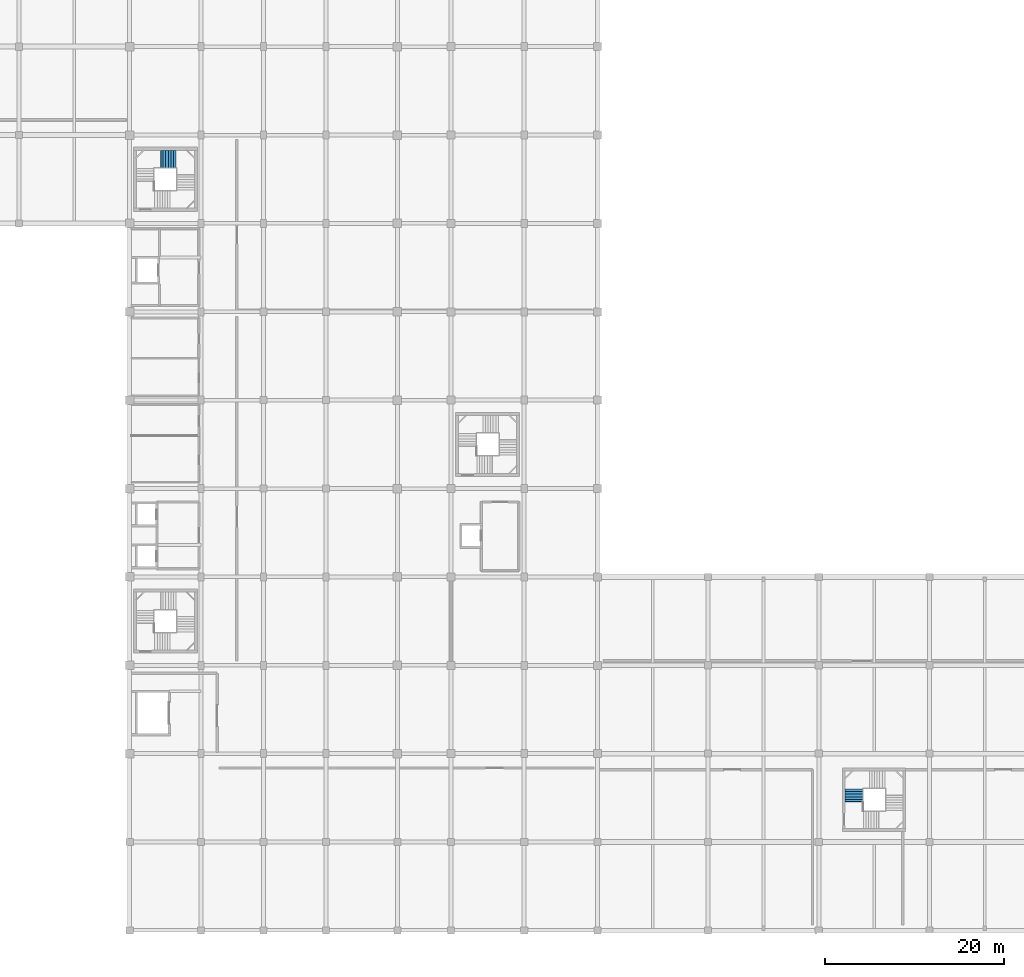
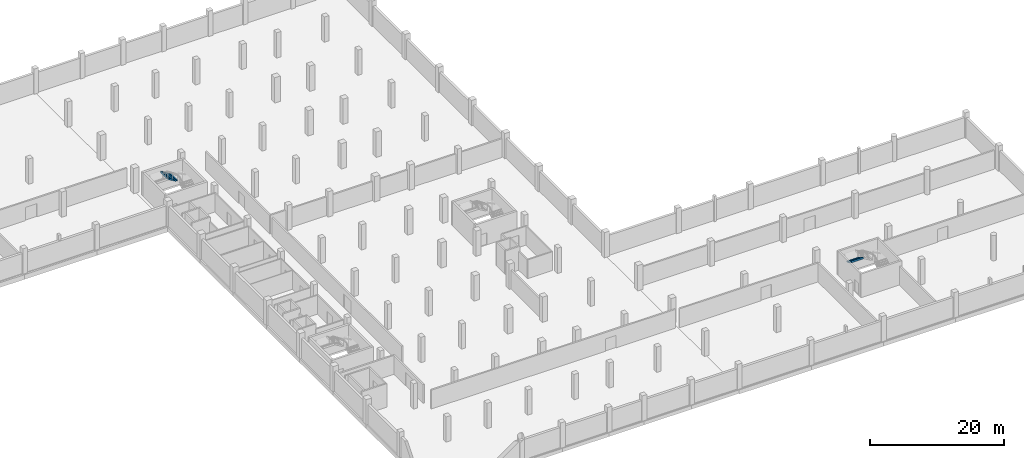
# One storey, part 27 of 32: 2 stair flights, 2 elements without a shape of their own.
"""IFC4 building model written with IfcOpenShell, lengths in metres."""

import ifcopenshell
import ifcopenshell.guid

model = None  # the IFC model being written
_history = None  # IfcOwnerHistory: only IFC2X3 demands one
_inside = {}  # id of a spatial element -> (the spatial element, [elements in it])
_under = {}  # id of a project, library or spatial element -> (it, [spatial elements below it])
_declared = {}  # id of a project -> (the project, [libraries it declares])
_typed = {}  # id of a type object -> (the type object, [elements of that type])
_made_of = {}  # id of a material, layer set ... -> (it, [elements and type objects made of it])


def new_model(schema):
    """Start an empty IFC model of exactly this schema.

    Asked for "IFC4X3", IfcOpenShell would pick the latest addendum, in which some entities
    have other attributes; the version numbers below select the first issue.
    IFC2X3 requires an IfcOwnerHistory on every rooted entity: one is made here for all.
    """
    global model, _history
    if schema == "IFC4X3":
        model = ifcopenshell.file(schema_version=(4, 3, 0, 0))
    else:
        model = ifcopenshell.file(schema=schema)
    _inside.clear()
    _under.clear()
    _declared.clear()
    _typed.clear()
    _made_of.clear()
    _history = None
    if model.schema == "IFC2X3":
        org = make("IfcOrganization", Name="unknown")
        user = make(
            "IfcPersonAndOrganization",
            ThePerson=make("IfcPerson", FamilyName="unknown"),
            TheOrganization=org,
        )
        app = make(
            "IfcApplication",
            ApplicationDeveloper=org,
            Version="unknown",
            ApplicationFullName="unknown",
            ApplicationIdentifier="unknown",
        )
        _history = make(
            "IfcOwnerHistory",
            OwningUser=user,
            OwningApplication=app,
            ChangeAction="ADDED",
            CreationDate=0,
        )
    return model


def make(cls, **values):
    """One entity of the class cls with the attributes given. An attribute that is None is left unset."""
    return model.create_entity(
        cls, **{name: value for name, value in values.items() if value is not None}
    )


def rooted(cls, **values):
    """An entity with a GlobalId (a new one), such as an element, a storey or a relation."""
    return make(cls, GlobalId=ifcopenshell.guid.new(), OwnerHistory=_history, **values)


def si_unit(unit_type, name, prefix=None):
    """IfcSIUnit, for example si_unit("LENGTHUNIT", "METRE", prefix="MILLI")."""
    return make("IfcSIUnit", UnitType=unit_type, Prefix=prefix, Name=name)


def assignment(units):
    """IfcUnitAssignment: the units of a project."""
    return None if units is None else make("IfcUnitAssignment", Units=units)


def point(xyz):
    """IfcCartesianPoint."""
    return None if xyz is None else make("IfcCartesianPoint", Coordinates=xyz)


def direction(xyz):
    """IfcDirection."""
    return None if xyz is None else make("IfcDirection", DirectionRatios=xyz)


def frame(location, z_axis=None, x_axis=None):
    """IfcAxis2Placement3D, a coordinate frame: its origin and axes. An axis left out is left unset."""
    return make(
        "IfcAxis2Placement3D",
        Location=point(location),
        Axis=direction(z_axis),
        RefDirection=direction(x_axis),
    )


def origin():
    """The frame at (0, 0, 0) with its axes left unset."""
    return frame((0.0, 0.0, 0.0))


def place(relative_to, where):
    """IfcLocalPlacement: puts the frame where relative to a parent placement (None: the world)."""
    return make(
        "IfcLocalPlacement", PlacementRelTo=relative_to, RelativePlacement=where
    )


def context(
    kind, dimensions, precision=None, world=None, true_north=None, identifier=None
):
    """IfcGeometricRepresentationContext, for example the 3D "Model" context."""
    return make(
        "IfcGeometricRepresentationContext",
        ContextIdentifier=identifier,
        ContextType=kind,
        CoordinateSpaceDimension=dimensions,
        Precision=precision,
        WorldCoordinateSystem=world,
        TrueNorth=true_north,
    )


def subcontext(parent, identifier, kind, view, scale=None):
    """IfcGeometricRepresentationSubContext, for example "Body" below "Model"."""
    return make(
        "IfcGeometricRepresentationSubContext",
        ContextIdentifier=identifier,
        ContextType=kind,
        ParentContext=parent,
        TargetScale=scale,
        TargetView=view,
    )


def project(units=None, contexts=None):
    """IfcProject with its units and contexts."""
    return rooted(
        "IfcProject",
        Name="project",
        RepresentationContexts=contexts,
        UnitsInContext=assignment(units),
    )


def spatial(cls, under=None, at=None, **own):
    """A site, building, storey or space (cls), placed at a placement, below another one or the project."""
    s = rooted(cls, ObjectPlacement=at, **own)
    if under is not None:
        _under.setdefault(under.id(), (under, []))[1].append(s)
    return s


def point_list(points):
    """IfcCartesianPointList2D or 3D."""
    cls = (
        "IfcCartesianPointList2D" if len(points[0]) == 2 else "IfcCartesianPointList3D"
    )
    return make(cls, CoordList=points)


def triangles(points, corners, closed=None, point_numbers=None):
    """IfcTriangulatedFaceSet: each triangle names its three corners, points numbered from 1."""
    return make(
        "IfcTriangulatedFaceSet",
        Coordinates=point_list(points),
        Closed=closed,
        CoordIndex=corners,
        PnIndex=point_numbers,
    )


def shape(context_of_items, identifier, shape_type, items):
    """IfcShapeRepresentation: the items that make up one representation, for example the "Body"."""
    return make(
        "IfcShapeRepresentation",
        ContextOfItems=context_of_items,
        RepresentationIdentifier=identifier,
        RepresentationType=shape_type,
        Items=items,
    )


def material(Name=None, Category=None):
    """IfcMaterial."""
    return make("IfcMaterial", Name=Name, Category=Category)


def made_of(thing, what):
    """Note that an element or type object is made of a material, layer set ...; save() writes the relation."""
    if what is not None:
        _made_of.setdefault(what.id(), (what, []))[1].append(thing)
    return thing


def type_object(cls, material=None, **own):
    """A type object (cls), such as IfcWallType, which elements share."""
    return made_of(rooted(cls, **own), material)


def element(
    cls,
    number,
    at=None,
    inside=None,
    cuts=None,
    type_object=None,
    material=None,
    context=None,
    identifier="Body",
    shape_type=None,
    held_by="IfcProductDefinitionShape",
    body=None,
    shapes=None,
    **own,
):
    """One element of the class cls, such as IfcWall. Its Tag is "e" and its number.

    at: its placement. inside: the storey or other place that contains it. cuts: it is an
    opening in that element (IfcRelVoidsElement). A single representation is given by context,
    identifier, shape_type and body (its items); several are given by shapes. held_by: the class
    of the entity that holds the representations. save() writes the other relations.
    """
    e = rooted(cls, Tag="e%d" % number, ObjectPlacement=at, **own)
    if body is not None:
        shapes = [shape(context, identifier, shape_type, body)]
    if shapes is not None:
        e.Representation = make(held_by, Representations=shapes)
    if inside is not None:
        _inside.setdefault(inside.id(), (inside, []))[1].append(e)
    if cuts is not None:
        rooted(
            "IfcRelVoidsElement", RelatingBuildingElement=cuts, RelatedOpeningElement=e
        )
    if type_object is not None:
        _typed.setdefault(type_object.id(), (type_object, []))[1].append(e)
    return made_of(e, material)


def aggregate(whole, parts):
    """IfcRelAggregates: a whole, such as a stair, and the parts it consists of."""
    return rooted("IfcRelAggregates", RelatingObject=whole, RelatedObjects=parts)


def save(model, path):
    """Write the relations noted so far, then the file.

    IfcRelAggregates (storeys below a building ...), IfcRelContainedInSpatialStructure (elements
    in a storey), IfcRelDefinesByType, IfcRelAssociatesMaterial and IfcRelDeclares: one each for
    every whole, place, type object, material and project.
    """
    for whole, parts in _under.values():
        aggregate(whole, parts)
    for where, things in _inside.values():
        rooted(
            "IfcRelContainedInSpatialStructure",
            RelatedElements=things,
            RelatingStructure=where,
        )
    for kind, things in _typed.values():
        rooted("IfcRelDefinesByType", RelatedObjects=things, RelatingType=kind)
    for what, things in _made_of.values():
        rooted("IfcRelAssociatesMaterial", RelatedObjects=things, RelatingMaterial=what)
    for by, libraries in _declared.values():
        rooted("IfcRelDeclares", RelatingContext=by, RelatedDefinitions=libraries)
    model.write(path)


model = new_model("IFC4")

# Units and contexts
model_context = context("Model", 3, precision=1e-05, world=origin(), true_north=direction((0.0, 1.0)))
body_context = subcontext(model_context, "Body", "Model", "MODEL_VIEW")
ifc_project = project(units=[si_unit("LENGTHUNIT", "METRE"), si_unit("AREAUNIT", "SQUARE_METRE"), si_unit("VOLUMEUNIT", "CUBIC_METRE"), si_unit("PLANEANGLEUNIT", "RADIAN"), si_unit("MASSUNIT", "GRAM", prefix="KILO")], contexts=[model_context])

# Site, building, storey
site_placement = place(None, origin())
site = spatial("IfcSite", under=ifc_project, at=site_placement, CompositionType="ELEMENT")
building_placement = place(site_placement, origin())
building = spatial("IfcBuilding", under=site, at=building_placement, Name="Sillaruma Civic Art Gallery", CompositionType="ELEMENT")
storey_placement = place(building_placement, frame((0.0, 0.0, -4.590087890625)))
storey = spatial("IfcBuildingStorey", under=building, at=storey_placement, Name="B01", CompositionType="ELEMENT", Elevation=-4.590087890625)

# Stair, stair flight
ifc_material = material(Name="Concrete H35 (35 MPa)", Category="concrete")
stair_type = type_object("IfcStairType", Name="STR-4F-27", PredefinedType="USERDEFINED", material=ifc_material)
stair_1_placement = place(storey_placement, origin())
stair_1 = element("IfcStair", 1, at=stair_1_placement, inside=storey, type_object=stair_type, Name="Protected Exit Stair ST-05 (East Wing) (B01)", ObjectType="THREE_RETURN_STAIR", PredefinedType="USERDEFINED")
stair_flight_type_1 = type_object("IfcStairFlightType", Name="SFL-STR-6", PredefinedType="STRAIGHT", material=ifc_material)
stair_flight_1_placement = place(storey_placement, frame((143.179931640625, 15.840087890625, 3.570068359375), z_axis=(0.0, 0.0, 1.0), x_axis=(0.0, -1.0, 0.0)))
stair_flight_1 = element("IfcStairFlight", 2, at=stair_flight_1_placement, type_object=stair_flight_type_1, Name="ST-05 flight 4", NumberOfRisers=6, NumberOfTreads=5, PredefinedType="STRAIGHT", RiserHeight=0.17, TreadLength=0.29, context=body_context, shape_type="Tessellation", body=[
    triangles([(0.0, -1.02001953125, 0.0), (0.29, -1.02001953125, 0.0), (0.296365, -1.02001953125, 0.0), (0.58, -1.02001953125, 0.166269), (0.87, -1.02001953125, 0.336269), (1.16, -1.02001953125, 0.506269), (1.409951, -1.02001953125, 0.652792), (1.449951, -1.02001953125, 0.67624), (1.449951, -1.02001953125, 1.02), (1.409951, -1.02001953125, 1.02), (1.409951, -1.02001953125, 0.85), (1.16, -1.02001953125, 0.85), (1.16, -1.02001953125, 0.68), (0.87, -1.02001953125, 0.68), (0.87, -1.02001953125, 0.51), (0.58, -1.02001953125, 0.51), (0.58, -1.02001953125, 0.34), (0.296365, -1.02001953125, 0.34), (0.29, -1.02001953125, 0.34), (0.29, -1.02001953125, 0.17), (0.0, -1.02001953125, 0.17), (0.0, -0.05, 0.0), (0.29, -0.05, 0.0), (0.296365, -0.05, 0.0), (0.58, -0.05, 0.166269), (0.87, -0.05, 0.336269), (1.16, -0.05, 0.506269), (1.409951, -0.05, 0.652792), (1.449951, -0.05, 0.67624), (1.449951, -0.05, 1.02), (1.409951, -0.05, 1.02), (1.409951, -0.05, 0.85), (1.16, -0.05, 0.85), (1.16, -0.05, 0.68), (0.87, -0.05, 0.68), (0.87, -0.05, 0.51), (0.58, -0.05, 0.51), (0.58, -0.05, 0.34), (0.296365, -0.05, 0.34), (0.29, -0.05, 0.34), (0.29, -0.05, 0.17), (0.0, -0.05, 0.17), (0.0, -0.0375, 0.0), (0.29, -0.0375, 0.0), (0.296365, -0.0375, 0.0), (0.58, -0.0375, 0.166269), (0.87, -0.0375, 0.336269), (1.16, -0.0375, 0.506269), (1.409951, -0.0375, 0.652792), (1.449951, -0.0375, 0.67624), (1.449951, -0.0375, 1.02), (1.409951, -0.0375, 1.02), (1.409951, -0.0375, 0.85), (1.16, -0.0375, 0.85), (1.16, -0.0375, 0.68), (0.87, -0.0375, 0.68), (0.87, -0.0375, 0.51), (0.58, -0.0375, 0.51), (0.58, -0.0375, 0.34), (0.296365, -0.0375, 0.34), (0.29, -0.0375, 0.34), (0.29, -0.0375, 0.17), (0.0, -0.0375, 0.17), (0.0, -0.025, 0.0), (0.29, -0.025, 0.0), (0.296365, -0.025, 0.0), (0.58, -0.025, 0.166269), (0.87, -0.025, 0.336269), (1.16, -0.025, 0.506269), (1.409951, -0.025, 0.652792), (1.449951, -0.025, 0.67624), (1.449951, -0.025, 1.02), (1.409951, -0.025, 1.02), (1.409951, -0.025, 0.85), (1.16, -0.025, 0.85), (1.16, -0.025, 0.68), (0.87, -0.025, 0.68), (0.87, -0.025, 0.51), (0.58, -0.025, 0.51), (0.58, -0.025, 0.34), (0.296365, -0.025, 0.34), (0.29, -0.025, 0.34), (0.29, -0.025, 0.17), (0.0, -0.025, 0.17), (0.0, -0.0125, 0.0), (0.29, -0.0125, 0.0), (0.296365, -0.0125, 0.0), (0.58, -0.0125, 0.166269), (0.87, -0.0125, 0.336269), (1.16, -0.0125, 0.506269), (1.409951, -0.0125, 0.652792), (1.449951, -0.0125, 0.67624), (1.449951, -0.0125, 1.02), (1.409951, -0.0125, 1.02), (1.409951, -0.0125, 0.85), (1.16, -0.0125, 0.85), (1.16, -0.0125, 0.68), (0.87, -0.0125, 0.68), (0.87, -0.0125, 0.51), (0.58, -0.0125, 0.51), (0.58, -0.0125, 0.34), (0.296365, -0.0125, 0.34), (0.29, -0.0125, 0.34), (0.29, -0.0125, 0.17), (0.0, -0.0125, 0.17), (0.0, 0.0, 0.0), (0.29, 0.0, 0.0), (0.296365, 0.0, 0.0), (0.58, 0.0, 0.166269), (0.87, 0.0, 0.336269), (1.16, 0.0, 0.506269), (1.409951, 0.0, 0.652792), (1.449951, 0.0, 0.67624), (1.449951, 0.0, 1.02), (1.409951, 0.0, 1.02), (1.409951, 0.0, 0.85), (1.16, 0.0, 0.85), (1.16, 0.0, 0.68), (0.87, 0.0, 0.68), (0.87, 0.0, 0.51), (0.58, 0.0, 0.51), (0.58, 0.0, 0.34), (0.296365, 0.0, 0.34), (0.29, 0.0, 0.34), (0.29, 0.0, 0.17), (0.0, 0.0, 0.17), (0.0, 0.0125, 0.0), (0.29, 0.0125, 0.0), (0.296365, 0.0125, 0.0), (0.58, 0.0125, 0.166269), (0.87, 0.0125, 0.336269), (1.16, 0.0125, 0.506269), (1.409951, 0.0125, 0.652792), (1.449951, 0.0125, 0.67624), (1.449951, 0.0125, 1.02), (1.409951, 0.0125, 1.02), (1.409951, 0.0125, 0.85), (1.16, 0.0125, 0.85), (1.16, 0.0125, 0.68), (0.87, 0.0125, 0.68), (0.87, 0.0125, 0.51), (0.58, 0.0125, 0.51), (0.58, 0.0125, 0.34), (0.296365, 0.0125, 0.34), (0.29, 0.0125, 0.34), (0.29, 0.0125, 0.17), (0.0, 0.0125, 0.17), (0.0, 0.025, 0.0), (0.29, 0.025, 0.0), (0.296365, 0.025, 0.0), (0.58, 0.025, 0.166269), (0.87, 0.025, 0.336269), (1.16, 0.025, 0.506269), (1.409951, 0.025, 0.652792), (1.449951, 0.025, 0.67624), (1.449951, 0.025, 1.02), (1.409951, 0.025, 1.02), (1.409951, 0.025, 0.85), (1.16, 0.025, 0.85), (1.16, 0.025, 0.68), (0.87, 0.025, 0.68), (0.87, 0.025, 0.51), (0.58, 0.025, 0.51), (0.58, 0.025, 0.34), (0.296365, 0.025, 0.34), (0.29, 0.025, 0.34), (0.29, 0.025, 0.17), (0.0, 0.025, 0.17), (0.0, 0.0375, 0.0), (0.29, 0.0375, 0.0), (0.296365, 0.0375, 0.0), (0.58, 0.0375, 0.166269), (0.87, 0.0375, 0.336269), (1.16, 0.0375, 0.506269), (1.409951, 0.0375, 0.652792), (1.449951, 0.0375, 0.67624), (1.449951, 0.0375, 1.02), (1.409951, 0.0375, 1.02), (1.409951, 0.0375, 0.85), (1.16, 0.0375, 0.85), (1.16, 0.0375, 0.68), (0.87, 0.0375, 0.68), (0.87, 0.0375, 0.51), (0.58, 0.0375, 0.51), (0.58, 0.0375, 0.34), (0.296365, 0.0375, 0.34), (0.29, 0.0375, 0.34), (0.29, 0.0375, 0.17), (0.0, 0.0375, 0.17), (0.0, 0.05, 0.0), (0.29, 0.05, 0.0), (0.296365, 0.05, 0.0), (0.58, 0.05, 0.166269), (0.87, 0.05, 0.336269), (1.16, 0.05, 0.506269), (1.409951, 0.05, 0.652792), (1.449951, 0.05, 0.67624), (1.449951, 0.05, 1.02), (1.409951, 0.05, 1.02), (1.409951, 0.05, 0.85), (1.16, 0.05, 0.85), (1.16, 0.05, 0.68), (0.87, 0.05, 0.68), (0.87, 0.05, 0.51), (0.58, 0.05, 0.51), (0.58, 0.05, 0.34), (0.296365, 0.05, 0.34), (0.29, 0.05, 0.34), (0.29, 0.05, 0.17), (0.0, 0.05, 0.17), (0.0, 1.02001953125, 0.0), (0.29, 1.02001953125, 0.0), (0.296365, 1.02001953125, 0.0), (0.58, 1.02001953125, 0.166269), (0.87, 1.02001953125, 0.336269), (1.16, 1.02001953125, 0.506269), (1.409951, 1.02001953125, 0.652792), (1.449951, 1.02001953125, 0.67624), (1.449951, 1.02001953125, 1.02), (1.409951, 1.02001953125, 1.02), (1.409951, 1.02001953125, 0.85), (1.16, 1.02001953125, 0.85), (1.16, 1.02001953125, 0.68), (0.87, 1.02001953125, 0.68), (0.87, 1.02001953125, 0.51), (0.58, 1.02001953125, 0.51), (0.58, 1.02001953125, 0.34), (0.296365, 1.02001953125, 0.34), (0.29, 1.02001953125, 0.34), (0.29, 1.02001953125, 0.17), (0.0, 1.02001953125, 0.17)], [[1, 2, 20], [1, 20, 21], [2, 3, 18], [2, 18, 20], [20, 18, 19], [3, 4, 17], [3, 17, 18], [4, 5, 15], [4, 15, 17], [17, 15, 16], [5, 6, 13], [5, 13, 15], [15, 13, 14], [6, 7, 11], [6, 11, 13], [13, 11, 12], [7, 8, 9], [7, 9, 11], [11, 9, 10], [230, 212, 211], [231, 230, 211], [228, 213, 212], [230, 228, 212], [229, 228, 230], [227, 214, 213], [228, 227, 213], [225, 215, 214], [227, 225, 214], [226, 225, 227], [223, 216, 215], [225, 223, 215], [224, 223, 225], [221, 217, 216], [223, 221, 216], [222, 221, 223], [219, 218, 217], [221, 219, 217], [220, 219, 221], [2, 1, 22], [2, 22, 23], [3, 2, 23], [3, 23, 24], [4, 3, 24], [4, 24, 25], [5, 4, 25], [5, 25, 26], [6, 5, 26], [6, 26, 27], [7, 6, 27], [7, 27, 28], [8, 7, 28], [8, 28, 29], [9, 8, 29], [9, 29, 30], [10, 9, 30], [10, 30, 31], [11, 10, 31], [11, 31, 32], [12, 11, 32], [12, 32, 33], [13, 12, 33], [13, 33, 34], [14, 13, 34], [14, 34, 35], [15, 14, 35], [15, 35, 36], [16, 15, 36], [16, 36, 37], [17, 16, 37], [17, 37, 38], [18, 17, 38], [18, 38, 39], [19, 18, 39], [19, 39, 40], [20, 19, 40], [20, 40, 41], [21, 20, 41], [21, 41, 42], [1, 21, 42], [1, 42, 22], [23, 22, 43], [23, 43, 44], [24, 23, 44], [24, 44, 45], [25, 24, 45], [25, 45, 46], [26, 25, 46], [26, 46, 47], [27, 26, 47], [27, 47, 48], [28, 27, 48], [28, 48, 49], [29, 28, 49], [29, 49, 50], [30, 29, 50], [30, 50, 51], [31, 30, 51], [31, 51, 52], [32, 31, 52], [32, 52, 53], [33, 32, 53], [33, 53, 54], [34, 33, 54], [34, 54, 55], [35, 34, 55], [35, 55, 56], [36, 35, 56], [36, 56, 57], [37, 36, 57], [37, 57, 58], [38, 37, 58], [38, 58, 59], [39, 38, 59], [39, 59, 60], [40, 39, 60], [40, 60, 61], [41, 40, 61], [41, 61, 62], [42, 41, 62], [42, 62, 63], [22, 42, 63], [22, 63, 43], [44, 43, 64], [44, 64, 65], [45, 44, 65], [45, 65, 66], [46, 45, 66], [46, 66, 67], [47, 46, 67], [47, 67, 68], [48, 47, 68], [48, 68, 69], [49, 48, 69], [49, 69, 70], [50, 49, 70], [50, 70, 71], [51, 50, 71], [51, 71, 72], [52, 51, 72], [52, 72, 73], [53, 52, 73], [53, 73, 74], [54, 53, 74], [54, 74, 75], [55, 54, 75], [55, 75, 76], [56, 55, 76], [56, 76, 77], [57, 56, 77], [57, 77, 78], [58, 57, 78], [58, 78, 79], [59, 58, 79], [59, 79, 80], [60, 59, 80], [60, 80, 81], [61, 60, 81], [61, 81, 82], [62, 61, 82], [62, 82, 83], [63, 62, 83], [63, 83, 84], [43, 63, 84], [43, 84, 64], [65, 64, 85], [65, 85, 86], [66, 65, 86], [66, 86, 87], [67, 66, 87], [67, 87, 88], [68, 67, 88], [68, 88, 89], [69, 68, 89], [69, 89, 90], [70, 69, 90], [70, 90, 91], [71, 70, 91], [71, 91, 92], [72, 71, 92], [72, 92, 93], [73, 72, 93], [73, 93, 94], [74, 73, 94], [74, 94, 95], [75, 74, 95], [75, 95, 96], [76, 75, 96], [76, 96, 97], [77, 76, 97], [77, 97, 98], [78, 77, 98], [78, 98, 99], [79, 78, 99], [79, 99, 100], [80, 79, 100], [80, 100, 101], [81, 80, 101], [81, 101, 102], [82, 81, 102], [82, 102, 103], [83, 82, 103], [83, 103, 104], [84, 83, 104], [84, 104, 105], [64, 84, 105], [64, 105, 85], [86, 85, 106], [86, 106, 107], [87, 86, 107], [87, 107, 108], [88, 87, 108], [88, 108, 109], [89, 88, 109], [89, 109, 110], [90, 89, 110], [90, 110, 111], [91, 90, 111], [91, 111, 112], [92, 91, 112], [92, 112, 113], [93, 92, 113], [93, 113, 114], [94, 93, 114], [94, 114, 115], [95, 94, 115], [95, 115, 116], [96, 95, 116], [96, 116, 117], [97, 96, 117], [97, 117, 118], [98, 97, 118], [98, 118, 119], [99, 98, 119], [99, 119, 120], [100, 99, 120], [100, 120, 121], [101, 100, 121], [101, 121, 122], [102, 101, 122], [102, 122, 123], [103, 102, 123], [103, 123, 124], [104, 103, 124], [104, 124, 125], [105, 104, 125], [105, 125, 126], [85, 105, 126], [85, 126, 106], [107, 106, 127], [107, 127, 128], [108, 107, 128], [108, 128, 129], [109, 108, 129], [109, 129, 130], [110, 109, 130], [110, 130, 131], [111, 110, 131], [111, 131, 132], [112, 111, 132], [112, 132, 133], [113, 112, 133], [113, 133, 134], [114, 113, 134], [114, 134, 135], [115, 114, 135], [115, 135, 136], [116, 115, 136], [116, 136, 137], [117, 116, 137], [117, 137, 138], [118, 117, 138], [118, 138, 139], [119, 118, 139], [119, 139, 140], [120, 119, 140], [120, 140, 141], [121, 120, 141], [121, 141, 142], [122, 121, 142], [122, 142, 143], [123, 122, 143], [123, 143, 144], [124, 123, 144], [124, 144, 145], [125, 124, 145], [125, 145, 146], [126, 125, 146], [126, 146, 147], [106, 126, 147], [106, 147, 127], [128, 127, 148], [128, 148, 149], [129, 128, 149], [129, 149, 150], [130, 129, 150], [130, 150, 151], [131, 130, 151], [131, 151, 152], [132, 131, 152], [132, 152, 153], [133, 132, 153], [133, 153, 154], [134, 133, 154], [134, 154, 155], [135, 134, 155], [135, 155, 156], [136, 135, 156], [136, 156, 157], [137, 136, 157], [137, 157, 158], [138, 137, 158], [138, 158, 159], [139, 138, 159], [139, 159, 160], [140, 139, 160], [140, 160, 161], [141, 140, 161], [141, 161, 162], [142, 141, 162], [142, 162, 163], [143, 142, 163], [143, 163, 164], [144, 143, 164], [144, 164, 165], [145, 144, 165], [145, 165, 166], [146, 145, 166], [146, 166, 167], [147, 146, 167], [147, 167, 168], [127, 147, 168], [127, 168, 148], [149, 148, 169], [149, 169, 170], [150, 149, 170], [150, 170, 171], [151, 150, 171], [151, 171, 172], [152, 151, 172], [152, 172, 173], [153, 152, 173], [153, 173, 174], [154, 153, 174], [154, 174, 175], [155, 154, 175], [155, 175, 176], [156, 155, 176], [156, 176, 177], [157, 156, 177], [157, 177, 178], [158, 157, 178], [158, 178, 179], [159, 158, 179], [159, 179, 180], [160, 159, 180], [160, 180, 181], [161, 160, 181], [161, 181, 182], [162, 161, 182], [162, 182, 183], [163, 162, 183], [163, 183, 184], [164, 163, 184], [164, 184, 185], [165, 164, 185], [165, 185, 186], [166, 165, 186], [166, 186, 187], [167, 166, 187], [167, 187, 188], [168, 167, 188], [168, 188, 189], [148, 168, 189], [148, 189, 169], [170, 169, 190], [170, 190, 191], [171, 170, 191], [171, 191, 192], [172, 171, 192], [172, 192, 193], [173, 172, 193], [173, 193, 194], [174, 173, 194], [174, 194, 195], [175, 174, 195], [175, 195, 196], [176, 175, 196], [176, 196, 197], [177, 176, 197], [177, 197, 198], [178, 177, 198], [178, 198, 199], [179, 178, 199], [179, 199, 200], [180, 179, 200], [180, 200, 201], [181, 180, 201], [181, 201, 202], [182, 181, 202], [182, 202, 203], [183, 182, 203], [183, 203, 204], [184, 183, 204], [184, 204, 205], [185, 184, 205], [185, 205, 206], [186, 185, 206], [186, 206, 207], [187, 186, 207], [187, 207, 208], [188, 187, 208], [188, 208, 209], [189, 188, 209], [189, 209, 210], [169, 189, 210], [169, 210, 190], [191, 190, 211], [191, 211, 212], [192, 191, 212], [192, 212, 213], [193, 192, 213], [193, 213, 214], [194, 193, 214], [194, 214, 215], [195, 194, 215], [195, 215, 216], [196, 195, 216], [196, 216, 217], [197, 196, 217], [197, 217, 218], [198, 197, 218], [198, 218, 219], [199, 198, 219], [199, 219, 220], [200, 199, 220], [200, 220, 221], [201, 200, 221], [201, 221, 222], [202, 201, 222], [202, 222, 223], [203, 202, 223], [203, 223, 224], [204, 203, 224], [204, 224, 225], [205, 204, 225], [205, 225, 226], [206, 205, 226], [206, 226, 227], [207, 206, 227], [207, 227, 228], [208, 207, 228], [208, 228, 229], [209, 208, 229], [209, 229, 230], [210, 209, 230], [210, 230, 231], [190, 210, 231], [190, 231, 211]], closed=True),
])
aggregate(stair_1, [stair_flight_1])

stair_2_placement = place(storey_placement, origin())
stair_2 = element("IfcStair", 3, at=stair_2_placement, inside=storey, type_object=stair_type, Name="Protected Exit Stair ST-02 (West Bar North) (B01)", ObjectType="THREE_RETURN_STAIR", PredefinedType="USERDEFINED")
stair_flight_type_2 = type_object("IfcStairFlightType", Name="SFL-STR-7", PredefinedType="STRAIGHT", material=ifc_material)
stair_flight_2_placement = place(storey_placement, frame((67.199951171875, 86.3701171875, 2.380126953125), z_axis=(0.0, 0.0, 1.0), x_axis=(-1.0, 0.0, 0.0)))
stair_flight_2 = element("IfcStairFlight", 4, at=stair_flight_2_placement, type_object=stair_flight_type_2, Name="ST-02 flight 3", NumberOfRisers=7, NumberOfTreads=6, PredefinedType="STRAIGHT", RiserHeight=0.17, TreadLength=0.29, context=body_context, shape_type="Tessellation", body=[
    triangles([(0.0, -1.02001953125, 0.0), (0.29, -1.02001953125, 0.0), (0.296404, -1.02001953125, 0.0), (0.58, -1.02001953125, 0.166246), (0.87, -1.02001953125, 0.336246), (1.16, -1.02001953125, 0.506246), (1.45, -1.02001953125, 0.676246), (1.69999, -1.02001953125, 0.822792), (1.73999, -1.02001953125, 0.84624), (1.73999, -1.02001953125, 1.19), (1.69999, -1.02001953125, 1.19), (1.69999, -1.02001953125, 1.02), (1.45, -1.02001953125, 1.02), (1.45, -1.02001953125, 0.85), (1.16, -1.02001953125, 0.85), (1.16, -1.02001953125, 0.68), (0.87, -1.02001953125, 0.68), (0.87, -1.02001953125, 0.51), (0.58, -1.02001953125, 0.51), (0.58, -1.02001953125, 0.34), (0.296404, -1.02001953125, 0.34), (0.29, -1.02001953125, 0.34), (0.29, -1.02001953125, 0.17), (0.0, -1.02001953125, 0.17), (0.0, -0.05, 0.0), (0.29, -0.05, 0.0), (0.296404, -0.05, 0.0), (0.58, -0.05, 0.166246), (0.87, -0.05, 0.336246), (1.16, -0.05, 0.506246), (1.45, -0.05, 0.676246), (1.69999, -0.05, 0.822792), (1.73999, -0.05, 0.84624), (1.73999, -0.05, 1.19), (1.69999, -0.05, 1.19), (1.69999, -0.05, 1.02), (1.45, -0.05, 1.02), (1.45, -0.05, 0.85), (1.16, -0.05, 0.85), (1.16, -0.05, 0.68), (0.87, -0.05, 0.68), (0.87, -0.05, 0.51), (0.58, -0.05, 0.51), (0.58, -0.05, 0.34), (0.296404, -0.05, 0.34), (0.29, -0.05, 0.34), (0.29, -0.05, 0.17), (0.0, -0.05, 0.17), (0.0, -0.0375, 0.0), (0.29, -0.0375, 0.0), (0.296404, -0.0375, 0.0), (0.58, -0.0375, 0.166246), (0.87, -0.0375, 0.336246), (1.16, -0.0375, 0.506246), (1.45, -0.0375, 0.676246), (1.69999, -0.0375, 0.822792), (1.73999, -0.0375, 0.84624), (1.73999, -0.0375, 1.19), (1.69999, -0.0375, 1.19), (1.69999, -0.0375, 1.02), (1.45, -0.0375, 1.02), (1.45, -0.0375, 0.85), (1.16, -0.0375, 0.85), (1.16, -0.0375, 0.68), (0.87, -0.0375, 0.68), (0.87, -0.0375, 0.51), (0.58, -0.0375, 0.51), (0.58, -0.0375, 0.34), (0.296404, -0.0375, 0.34), (0.29, -0.0375, 0.34), (0.29, -0.0375, 0.17), (0.0, -0.0375, 0.17), (0.0, -0.025, 0.0), (0.29, -0.025, 0.0), (0.296404, -0.025, 0.0), (0.58, -0.025, 0.166246), (0.87, -0.025, 0.336246), (1.16, -0.025, 0.506246), (1.45, -0.025, 0.676246), (1.69999, -0.025, 0.822792), (1.73999, -0.025, 0.84624), (1.73999, -0.025, 1.19), (1.69999, -0.025, 1.19), (1.69999, -0.025, 1.02), (1.45, -0.025, 1.02), (1.45, -0.025, 0.85), (1.16, -0.025, 0.85), (1.16, -0.025, 0.68), (0.87, -0.025, 0.68), (0.87, -0.025, 0.51), (0.58, -0.025, 0.51), (0.58, -0.025, 0.34), (0.296404, -0.025, 0.34), (0.29, -0.025, 0.34), (0.29, -0.025, 0.17), (0.0, -0.025, 0.17), (0.0, -0.0125, 0.0), (0.29, -0.0125, 0.0), (0.296404, -0.0125, 0.0), (0.58, -0.0125, 0.166246), (0.87, -0.0125, 0.336246), (1.16, -0.0125, 0.506246), (1.45, -0.0125, 0.676246), (1.69999, -0.0125, 0.822792), (1.73999, -0.0125, 0.84624), (1.73999, -0.0125, 1.19), (1.69999, -0.0125, 1.19), (1.69999, -0.0125, 1.02), (1.45, -0.0125, 1.02), (1.45, -0.0125, 0.85), (1.16, -0.0125, 0.85), (1.16, -0.0125, 0.68), (0.87, -0.0125, 0.68), (0.87, -0.0125, 0.51), (0.58, -0.0125, 0.51), (0.58, -0.0125, 0.34), (0.296404, -0.0125, 0.34), (0.29, -0.0125, 0.34), (0.29, -0.0125, 0.17), (0.0, -0.0125, 0.17), (0.0, 0.0, 0.0), (0.29, 0.0, 0.0), (0.296404, 0.0, 0.0), (0.58, 0.0, 0.166246), (0.87, 0.0, 0.336246), (1.16, 0.0, 0.506246), (1.45, 0.0, 0.676246), (1.69999, 0.0, 0.822792), (1.73999, 0.0, 0.84624), (1.73999, 0.0, 1.19), (1.69999, 0.0, 1.19), (1.69999, 0.0, 1.02), (1.45, 0.0, 1.02), (1.45, 0.0, 0.85), (1.16, 0.0, 0.85), (1.16, 0.0, 0.68), (0.87, 0.0, 0.68), (0.87, 0.0, 0.51), (0.58, 0.0, 0.51), (0.58, 0.0, 0.34), (0.296404, 0.0, 0.34), (0.29, 0.0, 0.34), (0.29, 0.0, 0.17), (0.0, 0.0, 0.17), (0.0, 0.0125, 0.0), (0.29, 0.0125, 0.0), (0.296404, 0.0125, 0.0), (0.58, 0.0125, 0.166246), (0.87, 0.0125, 0.336246), (1.16, 0.0125, 0.506246), (1.45, 0.0125, 0.676246), (1.69999, 0.0125, 0.822792), (1.73999, 0.0125, 0.84624), (1.73999, 0.0125, 1.19), (1.69999, 0.0125, 1.19), (1.69999, 0.0125, 1.02), (1.45, 0.0125, 1.02), (1.45, 0.0125, 0.85), (1.16, 0.0125, 0.85), (1.16, 0.0125, 0.68), (0.87, 0.0125, 0.68), (0.87, 0.0125, 0.51), (0.58, 0.0125, 0.51), (0.58, 0.0125, 0.34), (0.296404, 0.0125, 0.34), (0.29, 0.0125, 0.34), (0.29, 0.0125, 0.17), (0.0, 0.0125, 0.17), (0.0, 0.025, 0.0), (0.29, 0.025, 0.0), (0.296404, 0.025, 0.0), (0.58, 0.025, 0.166246), (0.87, 0.025, 0.336246), (1.16, 0.025, 0.506246), (1.45, 0.025, 0.676246), (1.69999, 0.025, 0.822792), (1.73999, 0.025, 0.84624), (1.73999, 0.025, 1.19), (1.69999, 0.025, 1.19), (1.69999, 0.025, 1.02), (1.45, 0.025, 1.02), (1.45, 0.025, 0.85), (1.16, 0.025, 0.85), (1.16, 0.025, 0.68), (0.87, 0.025, 0.68), (0.87, 0.025, 0.51), (0.58, 0.025, 0.51), (0.58, 0.025, 0.34), (0.296404, 0.025, 0.34), (0.29, 0.025, 0.34), (0.29, 0.025, 0.17), (0.0, 0.025, 0.17), (0.0, 0.0375, 0.0), (0.29, 0.0375, 0.0), (0.296404, 0.0375, 0.0), (0.58, 0.0375, 0.166246), (0.87, 0.0375, 0.336246), (1.16, 0.0375, 0.506246), (1.45, 0.0375, 0.676246), (1.69999, 0.0375, 0.822792), (1.73999, 0.0375, 0.84624), (1.73999, 0.0375, 1.19), (1.69999, 0.0375, 1.19), (1.69999, 0.0375, 1.02), (1.45, 0.0375, 1.02), (1.45, 0.0375, 0.85), (1.16, 0.0375, 0.85), (1.16, 0.0375, 0.68), (0.87, 0.0375, 0.68), (0.87, 0.0375, 0.51), (0.58, 0.0375, 0.51), (0.58, 0.0375, 0.34), (0.296404, 0.0375, 0.34), (0.29, 0.0375, 0.34), (0.29, 0.0375, 0.17), (0.0, 0.0375, 0.17), (0.0, 0.05, 0.0), (0.29, 0.05, 0.0), (0.296404, 0.05, 0.0), (0.58, 0.05, 0.166246), (0.87, 0.05, 0.336246), (1.16, 0.05, 0.506246), (1.45, 0.05, 0.676246), (1.69999, 0.05, 0.822792), (1.73999, 0.05, 0.84624), (1.73999, 0.05, 1.19), (1.69999, 0.05, 1.19), (1.69999, 0.05, 1.02), (1.45, 0.05, 1.02), (1.45, 0.05, 0.85), (1.16, 0.05, 0.85), (1.16, 0.05, 0.68), (0.87, 0.05, 0.68), (0.87, 0.05, 0.51), (0.58, 0.05, 0.51), (0.58, 0.05, 0.34), (0.296404, 0.05, 0.34), (0.29, 0.05, 0.34), (0.29, 0.05, 0.17), (0.0, 0.05, 0.17), (0.0, 1.02001953125, 0.0), (0.29, 1.02001953125, 0.0), (0.296404, 1.02001953125, 0.0), (0.58, 1.02001953125, 0.166246), (0.87, 1.02001953125, 0.336246), (1.16, 1.02001953125, 0.506246), (1.45, 1.02001953125, 0.676246), (1.69999, 1.02001953125, 0.822792), (1.73999, 1.02001953125, 0.84624), (1.73999, 1.02001953125, 1.19), (1.69999, 1.02001953125, 1.19), (1.69999, 1.02001953125, 1.02), (1.45, 1.02001953125, 1.02), (1.45, 1.02001953125, 0.85), (1.16, 1.02001953125, 0.85), (1.16, 1.02001953125, 0.68), (0.87, 1.02001953125, 0.68), (0.87, 1.02001953125, 0.51), (0.58, 1.02001953125, 0.51), (0.58, 1.02001953125, 0.34), (0.296404, 1.02001953125, 0.34), (0.29, 1.02001953125, 0.34), (0.29, 1.02001953125, 0.17), (0.0, 1.02001953125, 0.17)], [[1, 2, 23], [1, 23, 24], [2, 3, 21], [2, 21, 23], [23, 21, 22], [3, 4, 20], [3, 20, 21], [4, 5, 18], [4, 18, 20], [20, 18, 19], [5, 6, 16], [5, 16, 18], [18, 16, 17], [6, 7, 14], [6, 14, 16], [16, 14, 15], [7, 8, 12], [7, 12, 14], [14, 12, 13], [8, 9, 10], [8, 10, 12], [12, 10, 11], [263, 242, 241], [264, 263, 241], [261, 243, 242], [263, 261, 242], [262, 261, 263], [260, 244, 243], [261, 260, 243], [258, 245, 244], [260, 258, 244], [259, 258, 260], [256, 246, 245], [258, 256, 245], [257, 256, 258], [254, 247, 246], [256, 254, 246], [255, 254, 256], [252, 248, 247], [254, 252, 247], [253, 252, 254], [250, 249, 248], [252, 250, 248], [251, 250, 252], [2, 1, 25], [2, 25, 26], [3, 2, 26], [3, 26, 27], [4, 3, 27], [4, 27, 28], [5, 4, 28], [5, 28, 29], [6, 5, 29], [6, 29, 30], [7, 6, 30], [7, 30, 31], [8, 7, 31], [8, 31, 32], [9, 8, 32], [9, 32, 33], [10, 9, 33], [10, 33, 34], [11, 10, 34], [11, 34, 35], [12, 11, 35], [12, 35, 36], [13, 12, 36], [13, 36, 37], [14, 13, 37], [14, 37, 38], [15, 14, 38], [15, 38, 39], [16, 15, 39], [16, 39, 40], [17, 16, 40], [17, 40, 41], [18, 17, 41], [18, 41, 42], [19, 18, 42], [19, 42, 43], [20, 19, 43], [20, 43, 44], [21, 20, 44], [21, 44, 45], [22, 21, 45], [22, 45, 46], [23, 22, 46], [23, 46, 47], [24, 23, 47], [24, 47, 48], [1, 24, 48], [1, 48, 25], [26, 25, 49], [26, 49, 50], [27, 26, 50], [27, 50, 51], [28, 27, 51], [28, 51, 52], [29, 28, 52], [29, 52, 53], [30, 29, 53], [30, 53, 54], [31, 30, 54], [31, 54, 55], [32, 31, 55], [32, 55, 56], [33, 32, 56], [33, 56, 57], [34, 33, 57], [34, 57, 58], [35, 34, 58], [35, 58, 59], [36, 35, 59], [36, 59, 60], [37, 36, 60], [37, 60, 61], [38, 37, 61], [38, 61, 62], [39, 38, 62], [39, 62, 63], [40, 39, 63], [40, 63, 64], [41, 40, 64], [41, 64, 65], [42, 41, 65], [42, 65, 66], [43, 42, 66], [43, 66, 67], [44, 43, 67], [44, 67, 68], [45, 44, 68], [45, 68, 69], [46, 45, 69], [46, 69, 70], [47, 46, 70], [47, 70, 71], [48, 47, 71], [48, 71, 72], [25, 48, 72], [25, 72, 49], [50, 49, 73], [50, 73, 74], [51, 50, 74], [51, 74, 75], [52, 51, 75], [52, 75, 76], [53, 52, 76], [53, 76, 77], [54, 53, 77], [54, 77, 78], [55, 54, 78], [55, 78, 79], [56, 55, 79], [56, 79, 80], [57, 56, 80], [57, 80, 81], [58, 57, 81], [58, 81, 82], [59, 58, 82], [59, 82, 83], [60, 59, 83], [60, 83, 84], [61, 60, 84], [61, 84, 85], [62, 61, 85], [62, 85, 86], [63, 62, 86], [63, 86, 87], [64, 63, 87], [64, 87, 88], [65, 64, 88], [65, 88, 89], [66, 65, 89], [66, 89, 90], [67, 66, 90], [67, 90, 91], [68, 67, 91], [68, 91, 92], [69, 68, 92], [69, 92, 93], [70, 69, 93], [70, 93, 94], [71, 70, 94], [71, 94, 95], [72, 71, 95], [72, 95, 96], [49, 72, 96], [49, 96, 73], [74, 73, 97], [74, 97, 98], [75, 74, 98], [75, 98, 99], [76, 75, 99], [76, 99, 100], [77, 76, 100], [77, 100, 101], [78, 77, 101], [78, 101, 102], [79, 78, 102], [79, 102, 103], [80, 79, 103], [80, 103, 104], [81, 80, 104], [81, 104, 105], [82, 81, 105], [82, 105, 106], [83, 82, 106], [83, 106, 107], [84, 83, 107], [84, 107, 108], [85, 84, 108], [85, 108, 109], [86, 85, 109], [86, 109, 110], [87, 86, 110], [87, 110, 111], [88, 87, 111], [88, 111, 112], [89, 88, 112], [89, 112, 113], [90, 89, 113], [90, 113, 114], [91, 90, 114], [91, 114, 115], [92, 91, 115], [92, 115, 116], [93, 92, 116], [93, 116, 117], [94, 93, 117], [94, 117, 118], [95, 94, 118], [95, 118, 119], [96, 95, 119], [96, 119, 120], [73, 96, 120], [73, 120, 97], [98, 97, 121], [98, 121, 122], [99, 98, 122], [99, 122, 123], [100, 99, 123], [100, 123, 124], [101, 100, 124], [101, 124, 125], [102, 101, 125], [102, 125, 126], [103, 102, 126], [103, 126, 127], [104, 103, 127], [104, 127, 128], [105, 104, 128], [105, 128, 129], [106, 105, 129], [106, 129, 130], [107, 106, 130], [107, 130, 131], [108, 107, 131], [108, 131, 132], [109, 108, 132], [109, 132, 133], [110, 109, 133], [110, 133, 134], [111, 110, 134], [111, 134, 135], [112, 111, 135], [112, 135, 136], [113, 112, 136], [113, 136, 137], [114, 113, 137], [114, 137, 138], [115, 114, 138], [115, 138, 139], [116, 115, 139], [116, 139, 140], [117, 116, 140], [117, 140, 141], [118, 117, 141], [118, 141, 142], [119, 118, 142], [119, 142, 143], [120, 119, 143], [120, 143, 144], [97, 120, 144], [97, 144, 121], [122, 121, 145], [122, 145, 146], [123, 122, 146], [123, 146, 147], [124, 123, 147], [124, 147, 148], [125, 124, 148], [125, 148, 149], [126, 125, 149], [126, 149, 150], [127, 126, 150], [127, 150, 151], [128, 127, 151], [128, 151, 152], [129, 128, 152], [129, 152, 153], [130, 129, 153], [130, 153, 154], [131, 130, 154], [131, 154, 155], [132, 131, 155], [132, 155, 156], [133, 132, 156], [133, 156, 157], [134, 133, 157], [134, 157, 158], [135, 134, 158], [135, 158, 159], [136, 135, 159], [136, 159, 160], [137, 136, 160], [137, 160, 161], [138, 137, 161], [138, 161, 162], [139, 138, 162], [139, 162, 163], [140, 139, 163], [140, 163, 164], [141, 140, 164], [141, 164, 165], [142, 141, 165], [142, 165, 166], [143, 142, 166], [143, 166, 167], [144, 143, 167], [144, 167, 168], [121, 144, 168], [121, 168, 145], [146, 145, 169], [146, 169, 170], [147, 146, 170], [147, 170, 171], [148, 147, 171], [148, 171, 172], [149, 148, 172], [149, 172, 173], [150, 149, 173], [150, 173, 174], [151, 150, 174], [151, 174, 175], [152, 151, 175], [152, 175, 176], [153, 152, 176], [153, 176, 177], [154, 153, 177], [154, 177, 178], [155, 154, 178], [155, 178, 179], [156, 155, 179], [156, 179, 180], [157, 156, 180], [157, 180, 181], [158, 157, 181], [158, 181, 182], [159, 158, 182], [159, 182, 183], [160, 159, 183], [160, 183, 184], [161, 160, 184], [161, 184, 185], [162, 161, 185], [162, 185, 186], [163, 162, 186], [163, 186, 187], [164, 163, 187], [164, 187, 188], [165, 164, 188], [165, 188, 189], [166, 165, 189], [166, 189, 190], [167, 166, 190], [167, 190, 191], [168, 167, 191], [168, 191, 192], [145, 168, 192], [145, 192, 169], [170, 169, 193], [170, 193, 194], [171, 170, 194], [171, 194, 195], [172, 171, 195], [172, 195, 196], [173, 172, 196], [173, 196, 197], [174, 173, 197], [174, 197, 198], [175, 174, 198], [175, 198, 199], [176, 175, 199], [176, 199, 200], [177, 176, 200], [177, 200, 201], [178, 177, 201], [178, 201, 202], [179, 178, 202], [179, 202, 203], [180, 179, 203], [180, 203, 204], [181, 180, 204], [181, 204, 205], [182, 181, 205], [182, 205, 206], [183, 182, 206], [183, 206, 207], [184, 183, 207], [184, 207, 208], [185, 184, 208], [185, 208, 209], [186, 185, 209], [186, 209, 210], [187, 186, 210], [187, 210, 211], [188, 187, 211], [188, 211, 212], [189, 188, 212], [189, 212, 213], [190, 189, 213], [190, 213, 214], [191, 190, 214], [191, 214, 215], [192, 191, 215], [192, 215, 216], [169, 192, 216], [169, 216, 193], [194, 193, 217], [194, 217, 218], [195, 194, 218], [195, 218, 219], [196, 195, 219], [196, 219, 220], [197, 196, 220], [197, 220, 221], [198, 197, 221], [198, 221, 222], [199, 198, 222], [199, 222, 223], [200, 199, 223], [200, 223, 224], [201, 200, 224], [201, 224, 225], [202, 201, 225], [202, 225, 226], [203, 202, 226], [203, 226, 227], [204, 203, 227], [204, 227, 228], [205, 204, 228], [205, 228, 229], [206, 205, 229], [206, 229, 230], [207, 206, 230], [207, 230, 231], [208, 207, 231], [208, 231, 232], [209, 208, 232], [209, 232, 233], [210, 209, 233], [210, 233, 234], [211, 210, 234], [211, 234, 235], [212, 211, 235], [212, 235, 236], [213, 212, 236], [213, 236, 237], [214, 213, 237], [214, 237, 238], [215, 214, 238], [215, 238, 239], [216, 215, 239], [216, 239, 240], [193, 216, 240], [193, 240, 217], [218, 217, 241], [218, 241, 242], [219, 218, 242], [219, 242, 243], [220, 219, 243], [220, 243, 244], [221, 220, 244], [221, 244, 245], [222, 221, 245], [222, 245, 246], [223, 222, 246], [223, 246, 247], [224, 223, 247], [224, 247, 248], [225, 224, 248], [225, 248, 249], [226, 225, 249], [226, 249, 250], [227, 226, 250], [227, 250, 251], [228, 227, 251], [228, 251, 252], [229, 228, 252], [229, 252, 253], [230, 229, 253], [230, 253, 254], [231, 230, 254], [231, 254, 255], [232, 231, 255], [232, 255, 256], [233, 232, 256], [233, 256, 257], [234, 233, 257], [234, 257, 258], [235, 234, 258], [235, 258, 259], [236, 235, 259], [236, 259, 260], [237, 236, 260], [237, 260, 261], [238, 237, 261], [238, 261, 262], [239, 238, 262], [239, 262, 263], [240, 239, 263], [240, 263, 264], [217, 240, 264], [217, 264, 241]], closed=True),
])
aggregate(stair_2, [stair_flight_2])

save(model, "model.ifc")
